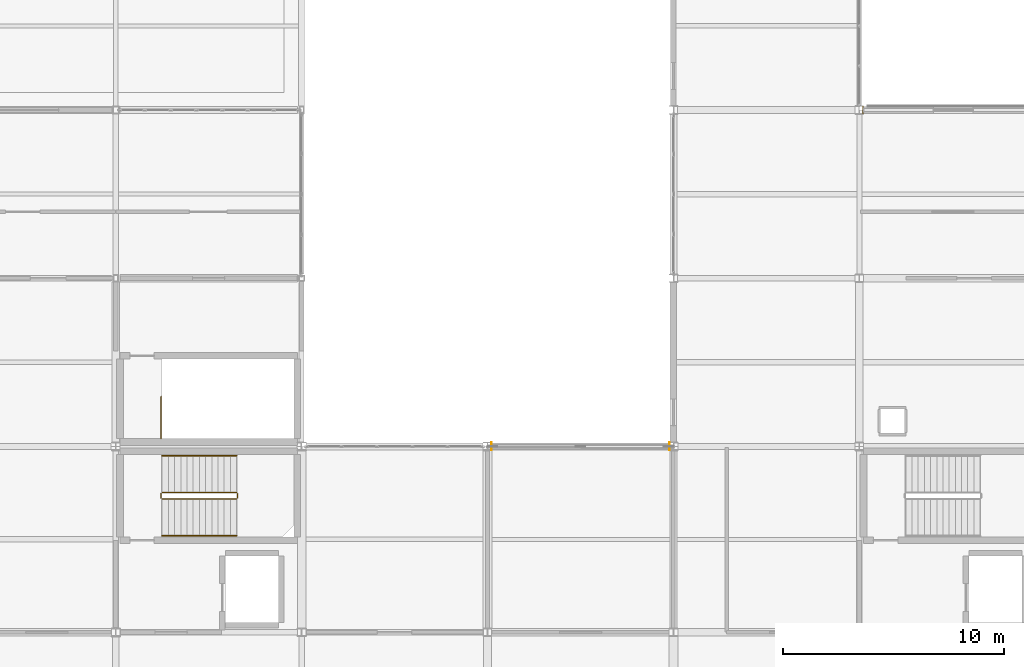
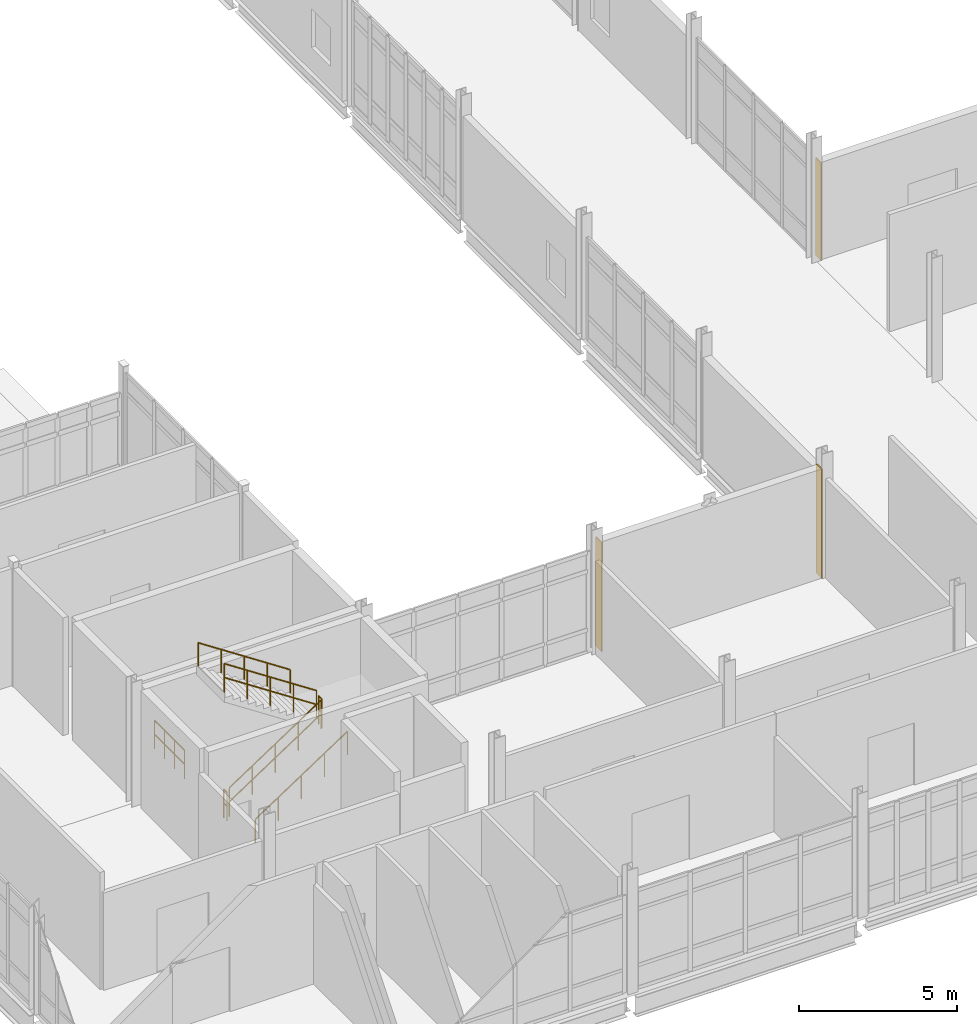
# One storey, part 171 of 186: 7 railings, 3 coverings.
"""IFC4 building model written with IfcOpenShell, lengths in metres."""

from ifc_helpers import new_model, si_unit, direction, frame, origin, origin_2d, place, context, subcontext, project, spatial, polyline, circle, outline, extrude, material, layer, layer_set, type_object, element, save


model = new_model("IFC4")

# Units and contexts
model_context = context("Model", 3, precision=1e-05, world=origin(), true_north=direction((0.0, 1.0)))
body_context = subcontext(model_context, "Body", "Model", "MODEL_VIEW")
ifc_project = project(units=[si_unit("LENGTHUNIT", "METRE"), si_unit("AREAUNIT", "SQUARE_METRE"), si_unit("VOLUMEUNIT", "CUBIC_METRE"), si_unit("PLANEANGLEUNIT", "RADIAN"), si_unit("MASSUNIT", "GRAM", prefix="KILO")], contexts=[model_context])

# Site, building, storey
site_placement = place(None, origin())
site = spatial("IfcSite", under=ifc_project, at=site_placement, CompositionType="ELEMENT")
building_placement = place(site_placement, origin())
building = spatial("IfcBuilding", under=site, at=building_placement, Name="Calvrana Isthmian Art Gallery", CompositionType="ELEMENT")
storey_placement = place(building_placement, frame((0.0, 0.0, 5.39990234375)))
storey = spatial("IfcBuildingStorey", under=building, at=storey_placement, Name="L01", CompositionType="ELEMENT", Elevation=5.39990234375)

# Coverings
ifc_material_1 = material(Name="Polychrome glazed terracotta", Category="masonry")
ifc_layer = layer(ifc_material_1, 0.0400390625, Name="Polychrome glazed terracotta")
ifc_layer_set = layer_set([ifc_layer], Name="Polychrome glazed terracotta")
covering_type = type_object("IfcCoveringType", Name="COV-CLAD-TERRA", PredefinedType="CLADDING", material=ifc_layer_set)
covering_1_placement = place(storey_placement, origin())
element("IfcCovering", 1, at=covering_1_placement, inside=storey, type_object=covering_type, Name="Column pocket weather closure L01-06-06-W", PredefinedType="CLADDING", context=body_context, shape_type="SweptSolid", body=[
    extrude(outline(polyline([(46.9580078125, 46.614501953125), (46.998046875, 46.614501953125), (46.998046875, 46.985595703125), (46.9580078125, 46.985595703125), (46.9580078125, 46.614501953125)])), origin(), (0.0, 0.0, 1.0), 4.21533203125),
])
covering_2_placement = place(storey_placement, origin())
element("IfcCovering", 2, at=covering_2_placement, inside=storey, type_object=covering_type, Name="Column pocket weather closure L01-06-06-E", PredefinedType="CLADDING", context=body_context, shape_type="SweptSolid", body=[
    extrude(outline(polyline([(55.0029296875, 46.616943359375), (55.04296875, 46.616943359375), (55.04296875, 46.98291015625), (55.0029296875, 46.98291015625), (55.0029296875, 46.616943359375)])), origin(), (0.0, 0.0, 1.0), 4.21533203125),
])
covering_3_placement = place(storey_placement, origin())
element("IfcCovering", 3, at=covering_3_placement, inside=storey, type_object=covering_type, Name="Column pocket weather closure L01-08-08-W", PredefinedType="CLADDING", context=body_context, shape_type="SweptSolid", body=[
    extrude(outline(polyline([(63.74658203125, 61.821044921875), (63.78662109375, 61.821044921875), (63.78662109375, 62.178955078125), (63.74658203125, 62.178955078125), (63.74658203125, 61.821044921875)])), origin(), (0.0, 0.0, 1.0), 3.758056640625),
])

# Railings
ifc_material_2 = material(Name="Stainless steel 316", Category="steel")
railing_type_1 = type_object("IfcRailingType", Name="RL-GUARD-1120", PredefinedType="BALUSTRADE", material=ifc_material_2)
railing_1_placement = place(storey_placement, frame((32.10009765625, 44.419921875, 0.184814453125)))
element("IfcRailing", 4, at=railing_1_placement, inside=storey, type_object=railing_type_1, Name="Stair ST-1 guard L01-1", PredefinedType="BALUSTRADE", context=body_context, shape_type="SweptSolid", body=[
    extrude(circle(Radius=0.02392578125, at=origin_2d()), frame((0.0, 0.0, 1.09619140625), z_axis=(0.834858096282, 0.0, 0.550465220583), x_axis=(0.0, 1.0, 0.0)), (0.0, 0.0, 1.0), 4.0244140625),
    extrude(circle(Radius=0.02392578125, at=origin_2d()), frame((0.0, 0.0, 0.56005859375), z_axis=(0.834858096282, 0.0, 0.550465220583), x_axis=(0.0, 1.0, 0.0)), (0.0, 0.0, 1.0), 4.0244140625),
    extrude(circle(Radius=0.02099609375, at=origin_2d()), origin(), (0.0, 0.0, 1.0), 1.072021484375),
    extrude(circle(Radius=0.02099609375, at=origin_2d()), frame((0.83984375, 0.0, 0.5537109375)), (0.0, 0.0, 1.0), 1.072021484375),
    extrude(circle(Radius=0.02099609375, at=origin_2d()), frame((1.679931640625, 0.0, 1.107666015625)), (0.0, 0.0, 1.0), 1.072021484375),
    extrude(circle(Radius=0.02099609375, at=origin_2d()), frame((2.52001953125, 0.0, 1.66162109375)), (0.0, 0.0, 1.0), 1.072021484375),
    extrude(circle(Radius=0.02099609375, at=origin_2d()), frame((3.35986328125, 0.0, 2.21533203125)), (0.0, 0.0, 1.0), 1.072021484375),
])
railing_2_placement = place(storey_placement, frame((35.510009765625, 44.469970703125, 2.400146484375)))
element("IfcRailing", 5, at=railing_2_placement, inside=storey, type_object=railing_type_1, Name="Stair ST-1 guard L01-2", PredefinedType="BALUSTRADE", context=body_context, shape_type="SweptSolid", body=[
    extrude(circle(Radius=0.02392578125, at=origin_2d()), frame((0.0, 0.0, 1.09619140625), z_axis=(0.0, 1.0, 0.0), x_axis=(-1.0, 0.0, 0.0)), (0.0, 0.0, 1.0), 0.199951171875),
    extrude(circle(Radius=0.02392578125, at=origin_2d()), frame((0.0, 0.0, 0.56005859375), z_axis=(0.0, 1.0, 0.0), x_axis=(-1.0, 0.0, 0.0)), (0.0, 0.0, 1.0), 0.199951171875),
    extrude(circle(Radius=0.02099609375, at=origin_2d()), origin(), (0.0, 0.0, 1.0), 1.072021484375),
    extrude(circle(Radius=0.02099609375, at=origin_2d()), frame((0.0, 0.199951171875, 0.0)), (0.0, 0.0, 1.0), 1.072021484375),
])
railing_3_placement = place(storey_placement, frame((35.4599609375, 44.719970703125, 2.584716796875)))
element("IfcRailing", 6, at=railing_3_placement, inside=storey, type_object=railing_type_1, Name="Stair ST-1 guard L01-3", PredefinedType="BALUSTRADE", context=body_context, shape_type="SweptSolid", body=[
    extrude(circle(Radius=0.02392578125, at=origin_2d()), frame((0.0, 0.0, 1.09619140625), z_axis=(-0.834858096282, 0.0, 0.550465220583), x_axis=(0.0, -1.0, 0.0)), (0.0, 0.0, 1.0), 4.0244140625),
    extrude(circle(Radius=0.02392578125, at=origin_2d()), frame((0.0, 0.0, 0.56005859375), z_axis=(-0.834858096282, 0.0, 0.550465220583), x_axis=(0.0, -1.0, 0.0)), (0.0, 0.0, 1.0), 4.0244140625),
    extrude(circle(Radius=0.02099609375, at=origin_2d()), origin(), (0.0, 0.0, 1.0), 1.072021484375),
    extrude(circle(Radius=0.02099609375, at=origin_2d()), frame((-0.83984375, 0.0, 0.5537109375)), (0.0, 0.0, 1.0), 1.072021484375),
    extrude(circle(Radius=0.02099609375, at=origin_2d()), frame((-1.679931640625, 0.0, 1.107666015625)), (0.0, 0.0, 1.0), 1.072021484375),
    extrude(circle(Radius=0.02099609375, at=origin_2d()), frame((-2.52001953125, 0.0, 1.66162109375)), (0.0, 0.0, 1.0), 1.072021484375),
    extrude(circle(Radius=0.02099609375, at=origin_2d()), frame((-3.35986328125, 0.0, 2.21533203125)), (0.0, 0.0, 1.0), 1.072021484375),
])
railing_4_placement = place(storey_placement, frame((32.050048828125, 44.469970703125, 0.0)))
element("IfcRailing", 7, at=railing_4_placement, inside=storey, type_object=railing_type_1, Name="Stair ST-1 guard L01-4", PredefinedType="BALUSTRADE", context=body_context, shape_type="SweptSolid", body=[
    extrude(circle(Radius=0.02392578125, at=origin_2d()), frame((0.0, 0.0, 1.09619140625), z_axis=(0.0, 1.0, 0.0), x_axis=(-1.0, 0.0, 0.0)), (0.0, 0.0, 1.0), 0.199951171875),
    extrude(circle(Radius=0.02392578125, at=origin_2d()), frame((0.0, 0.0, 0.56005859375), z_axis=(0.0, 1.0, 0.0), x_axis=(-1.0, 0.0, 0.0)), (0.0, 0.0, 1.0), 0.199951171875),
    extrude(circle(Radius=0.02099609375, at=origin_2d()), origin(), (0.0, 0.0, 1.0), 1.072021484375),
    extrude(circle(Radius=0.02099609375, at=origin_2d()), frame((0.0, 0.199951171875, 0.0)), (0.0, 0.0, 1.0), 1.072021484375),
])
railing_5_placement = place(storey_placement, frame((32.050048828125, 47.14990234375, 0.0)))
element("IfcRailing", 8, at=railing_5_placement, inside=storey, type_object=railing_type_1, Name="Stair ST-7 top well guard 1", PredefinedType="BALUSTRADE", context=body_context, shape_type="SweptSolid", body=[
    extrude(circle(Radius=0.02392578125, at=origin_2d()), frame((0.0, 0.0, 1.09619140625), z_axis=(0.0, 1.0, 0.0), x_axis=(-1.0, 0.0, 0.0)), (0.0, 0.0, 1.0), 1.900146484375),
    extrude(circle(Radius=0.02392578125, at=origin_2d()), frame((0.0, 0.0, 0.56005859375), z_axis=(0.0, 1.0, 0.0), x_axis=(-1.0, 0.0, 0.0)), (0.0, 0.0, 1.0), 1.900146484375),
    extrude(circle(Radius=0.02099609375, at=origin_2d()), origin(), (0.0, 0.0, 1.0), 1.072021484375),
    extrude(circle(Radius=0.02099609375, at=origin_2d()), frame((0.0, 0.63330078125, 0.0)), (0.0, 0.0, 1.0), 1.072021484375),
    extrude(circle(Radius=0.02099609375, at=origin_2d()), frame((0.0, 1.266845703125, 0.0)), (0.0, 0.0, 1.0), 1.072021484375),
    extrude(circle(Radius=0.02099609375, at=origin_2d()), frame((0.0, 1.900146484375, 0.0)), (0.0, 0.0, 1.0), 1.072021484375),
])
railing_type_2 = type_object("IfcRailingType", Name="RL-HAND-920", PredefinedType="HANDRAIL", material=ifc_material_2)
railing_6_placement = place(storey_placement, frame((32.10009765625, 42.760009765625, 0.184814453125)))
element("IfcRailing", 9, at=railing_6_placement, inside=storey, type_object=railing_type_2, Name="Stair ST-1 handrail L01-1", PredefinedType="HANDRAIL", context=body_context, shape_type="SweptSolid", body=[
    extrude(circle(Radius=0.02392578125, at=origin_2d()), frame((0.0, 0.0, 0.89599609375), z_axis=(0.834858096282, 0.0, 0.550465220583), x_axis=(0.0, 1.0, 0.0)), (0.0, 0.0, 1.0), 4.0244140625),
    extrude(circle(Radius=0.02099609375, at=origin_2d()), origin(), (0.0, 0.0, 1.0), 0.871826171875),
    extrude(circle(Radius=0.02099609375, at=origin_2d()), frame((0.83984375, 0.0, 0.5537109375)), (0.0, 0.0, 1.0), 0.871826171875),
    extrude(circle(Radius=0.02099609375, at=origin_2d()), frame((1.679931640625, 0.0, 1.107666015625)), (0.0, 0.0, 1.0), 0.871826171875),
    extrude(circle(Radius=0.02099609375, at=origin_2d()), frame((2.52001953125, 0.0, 1.66162109375)), (0.0, 0.0, 1.0), 0.871826171875),
    extrude(circle(Radius=0.02099609375, at=origin_2d()), frame((3.35986328125, 0.0, 2.21533203125)), (0.0, 0.0, 1.0), 0.871826171875),
])
railing_7_placement = place(storey_placement, frame((35.4599609375, 46.3798828125, 2.584716796875)))
element("IfcRailing", 10, at=railing_7_placement, inside=storey, type_object=railing_type_2, Name="Stair ST-1 handrail L01-2", PredefinedType="HANDRAIL", context=body_context, shape_type="SweptSolid", body=[
    extrude(circle(Radius=0.02392578125, at=origin_2d()), frame((0.0, 0.0, 0.89599609375), z_axis=(-0.834858096282, 0.0, 0.550465220583), x_axis=(0.0, -1.0, 0.0)), (0.0, 0.0, 1.0), 4.0244140625),
    extrude(circle(Radius=0.02099609375, at=origin_2d()), origin(), (0.0, 0.0, 1.0), 0.871826171875),
    extrude(circle(Radius=0.02099609375, at=origin_2d()), frame((-0.83984375, 0.0, 0.5537109375)), (0.0, 0.0, 1.0), 0.871826171875),
    extrude(circle(Radius=0.02099609375, at=origin_2d()), frame((-1.679931640625, 0.0, 1.107666015625)), (0.0, 0.0, 1.0), 0.871826171875),
    extrude(circle(Radius=0.02099609375, at=origin_2d()), frame((-2.52001953125, 0.0, 1.66162109375)), (0.0, 0.0, 1.0), 0.871826171875),
    extrude(circle(Radius=0.02099609375, at=origin_2d()), frame((-3.35986328125, 0.0, 2.21533203125)), (0.0, 0.0, 1.0), 0.871826171875),
])

save(model, "model.ifc")
